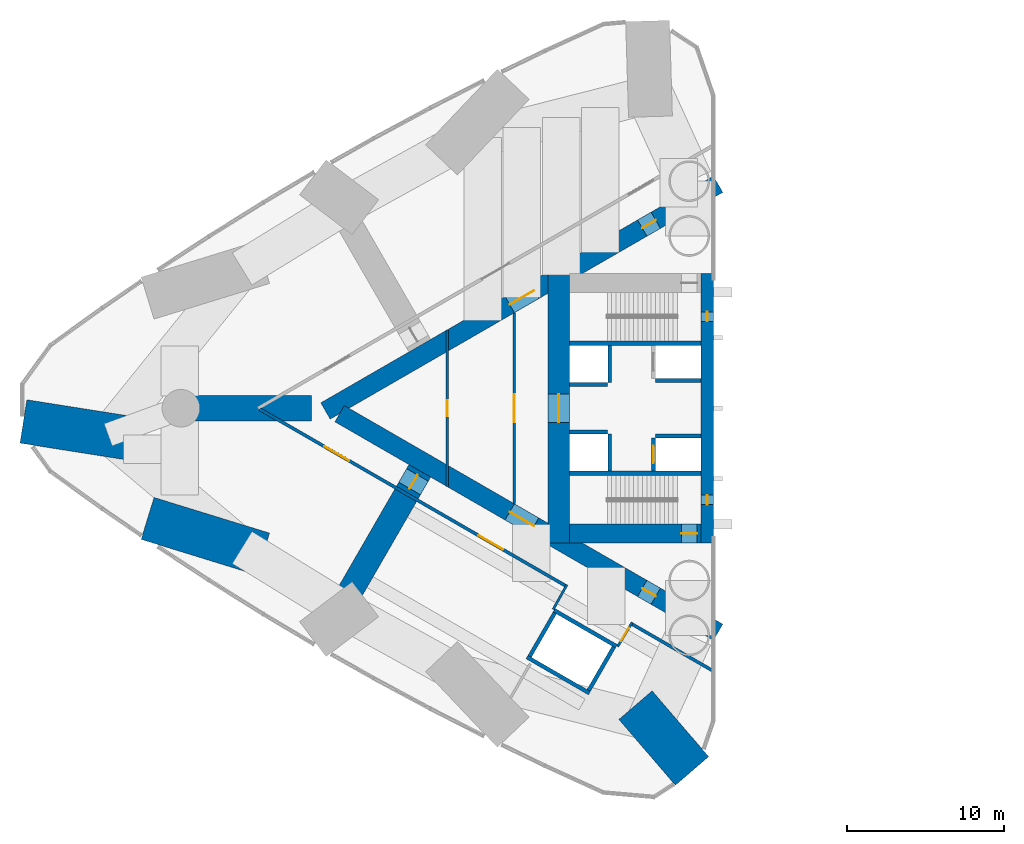
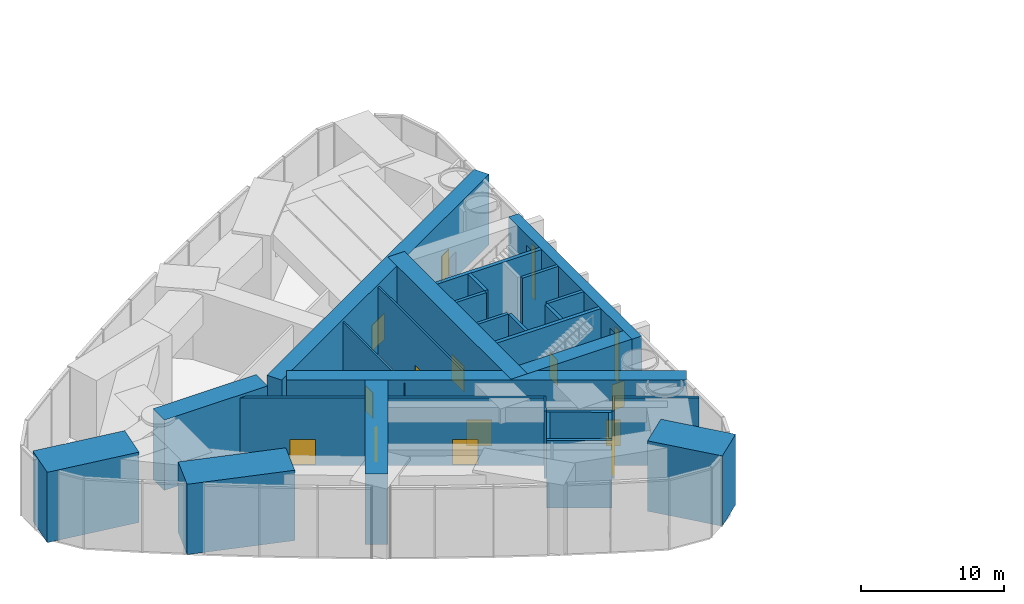
# One storey, part 11 of 16: 29 walls, 13 doors, 2 windows, 15 openings.
"""IFC4 building model written with IfcOpenShell, lengths in metres."""

from ifc_helpers import new_model, si_unit, direction, frame, frame_2d, origin, place, context, subcontext, project, spatial, rectangle, extrude, material, layer, layer_set, type_object, element, fill, save


model = new_model("IFC4")

# Units and contexts
model_context = context("Model", 3, precision=1e-05, world=origin(), true_north=direction((0.0, 1.0)))
body_context = subcontext(model_context, "Body", "Model", "MODEL_VIEW")
ifc_project = project(units=[si_unit("LENGTHUNIT", "METRE"), si_unit("AREAUNIT", "SQUARE_METRE"), si_unit("VOLUMEUNIT", "CUBIC_METRE"), si_unit("PLANEANGLEUNIT", "RADIAN"), si_unit("MASSUNIT", "GRAM", prefix="KILO")], contexts=[model_context])

# Site, building, storey
site_placement = place(None, origin())
site = spatial("IfcSite", under=ifc_project, at=site_placement, CompositionType="ELEMENT")
building_placement = place(site_placement, origin())
building = spatial("IfcBuilding", under=site, at=building_placement, Name="Lancet Gate Hotel", CompositionType="ELEMENT")
storey_placement = place(building_placement, frame((0.0, 0.0, 146.699951171875)))
storey = spatial("IfcBuildingStorey", under=building, at=storey_placement, Name="L39", CompositionType="ELEMENT", Elevation=146.699951171875)

# Wall, openings, doors
ifc_material_1 = material(Name="Concrete C70/85", Category="concrete")
ifc_layer_1 = layer(ifc_material_1, 1.199951171875)
ifc_layer_set_1 = layer_set([ifc_layer_1], Name="Buttress wall 1200")
wall_type_1 = type_object("IfcWallType", Name="Buttress wall 1200", PredefinedType="SHEAR", material=ifc_layer_set_1)
wall_1_placement = place(storey_placement, frame((-27.199951171875, 14.300048828125, 0.0), z_axis=(0.0, 0.0, 1.0), x_axis=(-0.866026593062, -0.499997940104, 0.0)))
wall_1 = element("IfcWall", 1, at=wall_1_placement, inside=storey, type_object=wall_type_1, Name="T1 buttress wall S L39", PredefinedType="SHEAR", context=body_context, shape_type="SweptSolid", body=[
    extrude(rectangle(XDim=28.9462890625, YDim=1.199951171875, at=frame_2d((14.47314453125, 0.0))), origin(), (0.0, 0.0, 1.0), 6.0),
])
opening_1_placement = place(wall_1_placement, frame((4.60009765625, 0.0, 0.0)))
opening_1 = element("IfcOpeningElement", 2, at=opening_1_placement, cuts=wall_1, Name="Opening T1-L39-LS", PredefinedType="OPENING", context=body_context, shape_type="SweptSolid", body=[
    extrude(rectangle(XDim=1.0, YDim=2.199951171875, at=frame_2d((0.5, 1.10009765625))), frame((0.0, 0.60986328125, 0.0), z_axis=(0.0, -1.0, 0.0), x_axis=(1.0, 0.0, 0.0)), (0.0, 0.0, 1.0), 1.219970703125),
])
opening_2_placement = place(wall_1_placement, frame((13.567626953125, 0.0, 0.0)))
opening_2 = element("IfcOpeningElement", 3, at=opening_2_placement, cuts=wall_1, Name="Opening T1-L39-LHS", PredefinedType="OPENING", context=body_context, shape_type="SweptSolid", body=[
    extrude(rectangle(XDim=1.800048828125, YDim=2.199951171875, at=frame_2d((0.89990234375, 1.10009765625))), frame((0.0, 0.60986328125, 0.0), z_axis=(0.0, -1.0, 0.0), x_axis=(1.0, 0.0, 0.0)), (0.0, 0.0, 1.0), 1.219970703125),
])
ifc_material_2 = material(Name="Timber door set", Category="wood")
door_type_1 = type_object("IfcDoorType", Name="Lobby double door 1800", OperationType="DOUBLE_DOOR_SINGLE_SWING", PredefinedType="DOOR", material=ifc_material_2)
door_1_placement = place(opening_2_placement, origin())
door_1 = element("IfcDoor", 4, at=door_1_placement, inside=storey, type_object=door_type_1, Name="T1-L39-LHS", OperationType="DOUBLE_DOOR_SINGLE_SWING", OverallHeight=2.199951171875, OverallWidth=1.800048828125, PredefinedType="DOOR", context=body_context, shape_type="SweptSolid", body=[
    extrude(rectangle(XDim=1.800048828125, YDim=2.199951171875, at=frame_2d((0.89990234375, 1.10009765625))), frame((0.0, 0.02490234375, 0.0), z_axis=(0.0, -1.0, 0.0), x_axis=(1.0, 0.0, 0.0)), (0.0, 0.0, 1.0), 0.050048828125),
])
fill(opening_2, door_1)
ifc_material_3 = material(Name="Timber door set", Category="wood")
door_type_2 = type_object("IfcDoorType", Name="Stair lobby door 1000", OperationType="SINGLE_SWING_LEFT", PredefinedType="DOOR", material=ifc_material_3)
door_2_placement = place(opening_1_placement, origin())
door_2 = element("IfcDoor", 5, at=door_2_placement, inside=storey, type_object=door_type_2, Name="T1-L39-LS", OperationType="SINGLE_SWING_LEFT", OverallHeight=2.199951171875, OverallWidth=1.0, PredefinedType="DOOR", context=body_context, shape_type="SweptSolid", body=[
    extrude(rectangle(XDim=1.0, YDim=2.199951171875, at=frame_2d((0.5, 1.10009765625))), frame((0.0, 0.02490234375, 0.0), z_axis=(0.0, -1.0, 0.0), x_axis=(1.0, 0.0, 0.0)), (0.0, 0.0, 1.0), 0.050048828125),
])
fill(opening_1, door_2)

wall_2_placement = place(storey_placement, frame((-27.199951171875, -14.300048828125, 0.0), z_axis=(0.0, 0.0, 1.0), x_axis=(-0.866024021859, 0.500002393557, 0.0)))
wall_2 = element("IfcWall", 6, at=wall_2_placement, inside=storey, type_object=wall_type_1, Name="T1 buttress wall N L39", PredefinedType="SHEAR", context=body_context, shape_type="SweptSolid", body=[
    extrude(rectangle(XDim=27.906982421875, YDim=1.199951171875, at=frame_2d((13.95361328125, 0.0))), origin(), (0.0, 0.0, 1.0), 6.0),
])
opening_3_placement = place(wall_2_placement, frame((4.60009765625, 0.0, 0.0)))
opening_3 = element("IfcOpeningElement", 7, at=opening_3_placement, cuts=wall_2, Name="Opening T1-L39-LN", PredefinedType="OPENING", context=body_context, shape_type="SweptSolid", body=[
    extrude(rectangle(XDim=1.0, YDim=2.199951171875, at=frame_2d((0.5, 1.10009765625))), frame((0.0, 0.60986328125, 0.0), z_axis=(0.0, -1.0, 0.0), x_axis=(1.0, 0.0, 0.0)), (0.0, 0.0, 1.0), 1.219970703125),
])
opening_4_placement = place(wall_2_placement, frame((13.567626953125, 0.0, 0.0)))
opening_4 = element("IfcOpeningElement", 8, at=opening_4_placement, cuts=wall_2, Name="Opening T1-L39-LHN", PredefinedType="OPENING", context=body_context, shape_type="SweptSolid", body=[
    extrude(rectangle(XDim=1.800048828125, YDim=2.199951171875, at=frame_2d((0.89990234375, 1.10009765625))), frame((0.0, 0.60986328125, 0.0), z_axis=(0.0, -1.0, 0.0), x_axis=(1.0, 0.0, 0.0)), (0.0, 0.0, 1.0), 1.219970703125),
])
door_3_placement = place(opening_4_placement, origin())
door_3 = element("IfcDoor", 9, at=door_3_placement, inside=storey, type_object=door_type_1, Name="T1-L39-LHN", OperationType="DOUBLE_DOOR_SINGLE_SWING", OverallHeight=2.199951171875, OverallWidth=1.800048828125, PredefinedType="DOOR", context=body_context, shape_type="SweptSolid", body=[
    extrude(rectangle(XDim=1.800048828125, YDim=2.199951171875, at=frame_2d((0.89990234375, 1.10009765625))), frame((0.0, 0.02490234375, 0.0), z_axis=(0.0, -1.0, 0.0), x_axis=(1.0, 0.0, 0.0)), (0.0, 0.0, 1.0), 0.050048828125),
])
fill(opening_4, door_3)
door_4_placement = place(opening_3_placement, origin())
door_4 = element("IfcDoor", 10, at=door_4_placement, inside=storey, type_object=door_type_2, Name="T1-L39-LN", OperationType="SINGLE_SWING_LEFT", OverallHeight=2.199951171875, OverallWidth=1.0, PredefinedType="DOOR", context=body_context, shape_type="SweptSolid", body=[
    extrude(rectangle(XDim=1.0, YDim=2.199951171875, at=frame_2d((0.5, 1.10009765625))), frame((0.0, 0.02490234375, 0.0), z_axis=(0.0, -1.0, 0.0), x_axis=(1.0, 0.0, 0.0)), (0.0, 0.0, 1.0), 0.050048828125),
])
fill(opening_3, door_4)

# Wall, opening, door
ifc_material_4 = material(Name="Concrete C70/85", Category="concrete")
ifc_layer_2 = layer(ifc_material_4, 1.35009765625)
ifc_layer_set_2 = layer_set([ifc_layer_2], Name="Core back wall 1350, outrigger storeys")
wall_type_2 = type_object("IfcWallType", Name="Core back wall 1350, outrigger storeys", PredefinedType="SHEAR", material=ifc_layer_set_2)
wall_3_placement = place(storey_placement, frame((-37.375, 8.60009765625, 0.0), z_axis=(0.0, 0.0, 1.0), x_axis=(0.0, -1.0, 0.0)))
wall_3 = element("IfcWall", 11, at=wall_3_placement, inside=storey, type_object=wall_type_2, Name="T1 core wall back L39", PredefinedType="SHEAR", context=body_context, shape_type="SweptSolid", body=[
    extrude(rectangle(XDim=17.2001953125, YDim=1.35009765625, at=frame_2d((8.60009765625, 0.0))), origin(), (0.0, 0.0, 1.0), 6.0),
])
opening_5_placement = place(wall_3_placement, frame((7.699951171875, 0.0, 0.0)))
opening_5 = element("IfcOpeningElement", 12, at=opening_5_placement, cuts=wall_3, Name="Opening T1-L39-LL", PredefinedType="OPENING", context=body_context, shape_type="SweptSolid", body=[
    extrude(rectangle(XDim=1.800048828125, YDim=2.199951171875, at=frame_2d((0.89990234375, 1.10009765625))), frame((0.0, 0.68505859375, 0.0), z_axis=(0.0, -1.0, 0.0), x_axis=(1.0, 0.0, 0.0)), (0.0, 0.0, 1.0), 1.3701171875),
])
door_5_placement = place(opening_5_placement, origin())
door_5 = element("IfcDoor", 13, at=door_5_placement, inside=storey, type_object=door_type_1, Name="T1-L39-LL", OperationType="DOUBLE_DOOR_SINGLE_SWING", OverallHeight=2.199951171875, OverallWidth=1.800048828125, PredefinedType="DOOR", context=body_context, shape_type="SweptSolid", body=[
    extrude(rectangle(XDim=1.800048828125, YDim=2.199951171875, at=frame_2d((0.89990234375, 1.10009765625))), frame((0.0, 0.02490234375, 0.0), z_axis=(0.0, -1.0, 0.0), x_axis=(1.0, 0.0, 0.0)), (0.0, 0.0, 1.0), 0.050048828125),
])
fill(opening_5, door_5)

ifc_material_5 = material(Name="Concrete C70/85", Category="concrete")
ifc_layer_3 = layer(ifc_material_5, 1.199951171875)
ifc_layer_set_3 = layer_set([ifc_layer_3], Name="Core wall 1200")
wall_type_3 = type_object("IfcWallType", Name="Core wall 1200", PredefinedType="SHEAR", material=ifc_layer_set_3)
wall_4_placement = place(storey_placement, frame((-28.300048828125, -8.0, 0.0), z_axis=(0.0, 0.0, 1.0), x_axis=(-1.0, 0.0, 0.0)))
wall_4 = element("IfcWall", 14, at=wall_4_placement, inside=storey, type_object=wall_type_3, Name="T1 core wall side-N L39", PredefinedType="SHEAR", context=body_context, shape_type="SweptSolid", body=[
    extrude(rectangle(XDim=8.39990234375, YDim=1.199951171875, at=frame_2d((4.199951171875, 0.0))), origin(), (0.0, 0.0, 1.0), 6.0),
])
opening_6_placement = place(wall_4_placement, frame((0.25, 0.0, 0.0)))
opening_6 = element("IfcOpeningElement", 15, at=opening_6_placement, cuts=wall_4, Name="Opening T1-L39-ST2", PredefinedType="OPENING", context=body_context, shape_type="SweptSolid", body=[
    extrude(rectangle(XDim=1.0, YDim=2.199951171875, at=frame_2d((0.5, 1.10009765625))), frame((0.0, 0.60986328125, 0.0), z_axis=(0.0, -1.0, 0.0), x_axis=(1.0, 0.0, 0.0)), (0.0, 0.0, 1.0), 1.219970703125),
])
ifc_material_6 = material(Name="Timber door set", Category="wood")
door_type_3 = type_object("IfcDoorType", Name="Stair door 1000", OperationType="SINGLE_SWING_RIGHT", PredefinedType="DOOR", material=ifc_material_6)
door_6_placement = place(opening_6_placement, origin())
door_6 = element("IfcDoor", 16, at=door_6_placement, inside=storey, type_object=door_type_3, Name="T1-L39-ST2", OperationType="SINGLE_SWING_RIGHT", OverallHeight=2.199951171875, OverallWidth=1.0, PredefinedType="DOOR", context=body_context, shape_type="SweptSolid", body=[
    extrude(rectangle(XDim=1.0, YDim=2.199951171875, at=frame_2d((0.5, 1.10009765625))), frame((0.0, 0.02490234375, 0.0), z_axis=(0.0, -1.0, 0.0), x_axis=(1.0, 0.0, 0.0)), (0.0, 0.0, 1.0), 0.050048828125),
])
fill(opening_6, door_6)

# Wall, openings, windows
ifc_material_7 = material(Name="Concrete C70/85", Category="concrete")
ifc_layer_4 = layer(ifc_material_7, 0.800048828125)
ifc_layer_set_4 = layer_set([ifc_layer_4], Name="Core wall 800")
wall_type_4 = type_object("IfcWallType", Name="Core wall 800", PredefinedType="SHEAR", material=ifc_layer_set_4)
wall_5_placement = place(storey_placement, frame((-27.89990234375, 8.60009765625, 0.0), z_axis=(0.0, 0.0, 1.0), x_axis=(0.0, -1.0, 0.0)))
wall_5 = element("IfcWall", 17, at=wall_5_placement, inside=storey, type_object=wall_type_4, Name="T1 core wall front L39", PredefinedType="SHEAR", context=body_context, shape_type="SweptSolid", body=[
    extrude(rectangle(XDim=17.2001953125, YDim=0.800048828125, at=frame_2d((8.60009765625, 0.0))), origin(), (0.0, 0.0, 1.0), 6.0),
])
opening_7_placement = place(wall_5_placement, frame((2.449951171875, 0.0, 0.60009765625)))
opening_7 = element("IfcOpeningElement", 18, at=opening_7_placement, cuts=wall_5, Name="Opening LW3", PredefinedType="OPENING", context=body_context, shape_type="SweptSolid", body=[
    extrude(rectangle(XDim=0.60009765625, YDim=4.5, at=frame_2d((0.300048828125, 2.25))), frame((0.0, 0.409912109375, 0.0), z_axis=(0.0, -1.0, 0.0), x_axis=(1.0, 0.0, 0.0)), (0.0, 0.0, 1.0), 0.820068359375),
])
opening_8_placement = place(wall_5_placement, frame((14.14990234375, 0.0, 0.60009765625)))
opening_8 = element("IfcOpeningElement", 19, at=opening_8_placement, cuts=wall_5, Name="Opening LW3", PredefinedType="OPENING", context=body_context, shape_type="SweptSolid", body=[
    extrude(rectangle(XDim=0.60009765625, YDim=4.5, at=frame_2d((0.300048828125, 2.25))), frame((0.0, 0.409912109375, 0.0), z_axis=(0.0, -1.0, 0.0), x_axis=(1.0, 0.0, 0.0)), (0.0, 0.0, 1.0), 0.820068359375),
])
ifc_material_8 = material(Name="Fire-resisting glazed steel window", Category="steel")
window_type = type_object("IfcWindowType", Name="Lancet window 600x4500", PartitioningType="SINGLE_PANEL", PredefinedType="WINDOW", material=ifc_material_8)
window_1_placement = place(opening_7_placement, origin())
window_1 = element("IfcWindow", 20, at=window_1_placement, inside=storey, type_object=window_type, Name="T1 stair window S L39", OverallHeight=4.5, OverallWidth=0.60009765625, PartitioningType="SINGLE_PANEL", PredefinedType="WINDOW", context=body_context, shape_type="SweptSolid", body=[
    extrude(rectangle(XDim=0.60009765625, YDim=4.5, at=frame_2d((0.300048828125, 2.25))), frame((0.0, 0.030029296875, 0.0), z_axis=(0.0, -1.0, 0.0), x_axis=(1.0, 0.0, 0.0)), (0.0, 0.0, 1.0), 0.06005859375),
])
fill(opening_7, window_1)
window_2_placement = place(opening_8_placement, origin())
window_2 = element("IfcWindow", 21, at=window_2_placement, inside=storey, type_object=window_type, Name="T1 stair window N L39", OverallHeight=4.5, OverallWidth=0.60009765625, PartitioningType="SINGLE_PANEL", PredefinedType="WINDOW", context=body_context, shape_type="SweptSolid", body=[
    extrude(rectangle(XDim=0.60009765625, YDim=4.5, at=frame_2d((0.300048828125, 2.25))), frame((0.0, 0.030029296875, 0.0), z_axis=(0.0, -1.0, 0.0), x_axis=(1.0, 0.0, 0.0)), (0.0, 0.0, 1.0), 0.06005859375),
])
fill(opening_8, window_2)

# Wall
ifc_material_9 = material(Name="Gypsum board partition")
ifc_layer_5 = layer(ifc_material_9, 0.199951171875)
ifc_layer_set_5 = layer_set([ifc_layer_5], Name="Corridor wall 200")
wall_type_5 = type_object("IfcWallType", Name="Corridor wall 200", PredefinedType="PARTITIONING", material=ifc_layer_set_5)
wall_6_placement = place(storey_placement, frame((-27.572021484375, -16.740966796875, 0.0), z_axis=(0.0, 0.0, 1.0), x_axis=(-0.866024464444, 0.500001626982, 0.0)))
element("IfcWall", 22, at=wall_6_placement, inside=storey, type_object=wall_type_5, Name="T1 corridor wall 200 L39", PredefinedType="PARTITIONING", context=body_context, shape_type="SweptSolid", body=[
    extrude(rectangle(XDim=5.955078125, YDim=0.199951171875, at=frame_2d((2.9775390625, 0.0))), origin(), (0.0, 0.0, 1.0), 5.75),
])

# Wall, openings, doors
wall_7_placement = place(storey_placement, frame((-36.920166015625, -11.34375, 0.0), z_axis=(0.0, 0.0, 1.0), x_axis=(-0.866028313256, 0.499994960614, 0.0)))
wall_7 = element("IfcWall", 23, at=wall_7_placement, inside=storey, type_object=wall_type_5, Name="T1 corridor wall 200 L39", PredefinedType="PARTITIONING", context=body_context, shape_type="SweptSolid", body=[
    extrude(rectangle(XDim=22.567626953125, YDim=0.199951171875, at=frame_2d((11.28369140625, 0.0))), origin(), (0.0, 0.0, 1.0), 5.75),
])
opening_9_placement = place(wall_7_placement, frame((15.993896484375, 0.0, 0.0)))
opening_9 = element("IfcOpeningElement", 24, at=opening_9_placement, cuts=wall_7, Name="Opening T1-L39-RB06", PredefinedType="OPENING", context=body_context, shape_type="SweptSolid", body=[
    extrude(rectangle(XDim=1.800048828125, YDim=2.199951171875, at=frame_2d((0.89990234375, 1.10009765625))), frame((0.0, 0.10986328125, 0.0), z_axis=(0.0, -1.0, 0.0), x_axis=(1.0, 0.0, 0.0)), (0.0, 0.0, 1.0), 0.219970703125),
])
opening_10_placement = place(wall_7_placement, frame((4.65087890625, 0.0, 0.0)))
opening_10 = element("IfcOpeningElement", 25, at=opening_10_placement, cuts=wall_7, Name="Opening T1-L39-RB07", PredefinedType="OPENING", context=body_context, shape_type="SweptSolid", body=[
    extrude(rectangle(XDim=1.800048828125, YDim=2.199951171875, at=frame_2d((0.89990234375, 1.10009765625))), frame((0.0, 0.10986328125, 0.0), z_axis=(0.0, -1.0, 0.0), x_axis=(1.0, 0.0, 0.0)), (0.0, 0.0, 1.0), 0.219970703125),
])
ifc_material_10 = material(Name="Timber door set", Category="wood")
door_type_4 = type_object("IfcDoorType", Name="Double door 1800", OperationType="DOUBLE_DOOR_SINGLE_SWING", PredefinedType="DOOR", material=ifc_material_10)
door_7_placement = place(opening_9_placement, origin())
door_7 = element("IfcDoor", 26, at=door_7_placement, inside=storey, type_object=door_type_4, Name="T1-L39-RB06", OperationType="DOUBLE_DOOR_SINGLE_SWING", OverallHeight=2.199951171875, OverallWidth=1.800048828125, PredefinedType="DOOR", context=body_context, shape_type="SweptSolid", body=[
    extrude(rectangle(XDim=1.800048828125, YDim=2.199951171875, at=frame_2d((0.89990234375, 1.10009765625))), frame((0.0, 0.02490234375, 0.0), z_axis=(0.0, -1.0, 0.0), x_axis=(1.0, 0.0, 0.0)), (0.0, 0.0, 1.0), 0.050048828125),
])
fill(opening_9, door_7)
door_8_placement = place(opening_10_placement, origin())
door_8 = element("IfcDoor", 27, at=door_8_placement, inside=storey, type_object=door_type_4, Name="T1-L39-RB07", OperationType="DOUBLE_DOOR_SINGLE_SWING", OverallHeight=2.199951171875, OverallWidth=1.800048828125, PredefinedType="DOOR", context=body_context, shape_type="SweptSolid", body=[
    extrude(rectangle(XDim=1.800048828125, YDim=2.199951171875, at=frame_2d((0.89990234375, 1.10009765625))), frame((0.0, 0.02490234375, 0.0), z_axis=(0.0, -1.0, 0.0), x_axis=(1.0, 0.0, 0.0)), (0.0, 0.0, 1.0), 0.050048828125),
])
fill(opening_10, door_8)

# Walls
ifc_material_11 = material(Name="Gypsum board partition")
ifc_layer_6 = layer(ifc_material_11, 0.25)
ifc_layer_set_6 = layer_set([ifc_layer_6], Name="Lift shaft partition 250")
wall_type_6 = type_object("IfcWallType", Name="Lift shaft partition 250", PredefinedType="PARTITIONING", material=ifc_layer_set_6)
wall_8_placement = place(storey_placement, frame((-33.695556640625, -15.197265625, 0.0), z_axis=(0.0, 0.0, 1.0), x_axis=(-0.865976953817, 0.500083908417, 0.0)))
element("IfcWall", 28, at=wall_8_placement, inside=storey, type_object=wall_type_6, Name="T1 lift shaft wall EX L39", PredefinedType="PARTITIONING", context=body_context, shape_type="SweptSolid", body=[
    extrude(rectangle(XDim=4.599365234375, YDim=0.25, at=frame_2d((2.2998046875, 0.0))), origin(), (0.0, 0.0, 1.0), 5.75),
])
wall_9_placement = place(storey_placement, frame((-35.42041015625, -18.185791015625, 0.0), z_axis=(0.0, 0.0, 1.0), x_axis=(-0.865990227814, 0.50006092162, 0.0)))
element("IfcWall", 29, at=wall_9_placement, inside=storey, type_object=wall_type_6, Name="T1 lift shaft wall EX L39", PredefinedType="PARTITIONING", context=body_context, shape_type="SweptSolid", body=[
    extrude(rectangle(XDim=4.599609375, YDim=0.25, at=frame_2d((2.2998046875, 0.0))), origin(), (0.0, 0.0, 1.0), 5.75),
])
wall_10_placement = place(storey_placement, frame((-33.8662109375, -15.242919921875, 0.0), z_axis=(0.0, 0.0, 1.0), x_axis=(-0.499929347863, -0.866066190972, 0.0)))
element("IfcWall", 30, at=wall_10_placement, inside=storey, type_object=wall_type_6, Name="T1 lift shaft wall EX L39", PredefinedType="PARTITIONING", context=body_context, shape_type="SweptSolid", body=[
    extrude(rectangle(XDim=3.20068359375, YDim=0.25, at=frame_2d((1.600341796875, 0.0))), origin(), (0.0, 0.0, 1.0), 5.75),
])
wall_11_placement = place(storey_placement, frame((-37.6328125, -13.068115234375, 0.0), z_axis=(0.0, 0.0, 1.0), x_axis=(-0.499872130319, -0.866099216793, 0.0)))
element("IfcWall", 31, at=wall_11_placement, inside=storey, type_object=wall_type_6, Name="T1 lift shaft wall EX L39", PredefinedType="PARTITIONING", context=body_context, shape_type="SweptSolid", body=[
    extrude(rectangle(XDim=3.200439453125, YDim=0.25, at=frame_2d((1.60009765625, 0.0))), origin(), (0.0, 0.0, 1.0), 5.75),
])
ifc_material_12 = material(Name="Concrete C50/60", Category="concrete")
ifc_layer_7 = layer(ifc_material_12, 0.25)
ifc_layer_set_7 = layer_set([ifc_layer_7], Name="Lift shaft wall 250")
wall_type_7 = type_object("IfcWallType", Name="Lift shaft wall 250", PredefinedType="SHEAR", material=ifc_layer_set_7)
wall_12_placement = place(storey_placement, frame((-34.125, 4.0, 0.0), z_axis=(0.0, 0.0, 1.0), x_axis=(0.0, -1.0, 0.0)))
element("IfcWall", 32, at=wall_12_placement, inside=storey, type_object=wall_type_7, Name="T1 core wall row2-S L39", PredefinedType="SHEAR", context=body_context, shape_type="SweptSolid", body=[
    extrude(rectangle(XDim=2.35009765625, YDim=0.25, at=frame_2d((1.175048828125, 0.0))), origin(), (0.0, 0.0, 1.0), 6.0),
])
wall_13_placement = place(storey_placement, frame((-28.300048828125, 1.77490234375, 0.0), z_axis=(0.0, 0.0, 1.0), x_axis=(-1.0, 0.0, 0.0)))
element("IfcWall", 33, at=wall_13_placement, inside=storey, type_object=wall_type_7, Name="T1 core wall pass1-S L39", PredefinedType="SHEAR", context=body_context, shape_type="SweptSolid", body=[
    extrude(rectangle(XDim=2.89990234375, YDim=0.25, at=frame_2d((1.449951171875, 0.0))), origin(), (0.0, 0.0, 1.0), 6.0),
])
wall_14_placement = place(storey_placement, frame((-34.25, 1.52490234375, 0.0), z_axis=(0.0, 0.0, 1.0), x_axis=(-1.0, 0.0, 0.0)))
element("IfcWall", 34, at=wall_14_placement, inside=storey, type_object=wall_type_7, Name="T1 core wall pass2-S L39", PredefinedType="SHEAR", context=body_context, shape_type="SweptSolid", body=[
    extrude(rectangle(XDim=2.449951171875, YDim=0.25, at=frame_2d((1.22509765625, 0.0))), origin(), (0.0, 0.0, 1.0), 6.0),
])

# Wall, opening, door
wall_15_placement = place(storey_placement, frame((-31.324951171875, -1.89990234375, 0.0), z_axis=(0.0, 0.0, 1.0), x_axis=(0.0, -1.0, 0.0)))
wall_15 = element("IfcWall", 35, at=wall_15_placement, inside=storey, type_object=wall_type_7, Name="T1 core wall row1-N L39", PredefinedType="SHEAR", context=body_context, shape_type="SweptSolid", body=[
    extrude(rectangle(XDim=2.10009765625, YDim=0.25, at=frame_2d((1.050048828125, 0.0))), origin(), (0.0, 0.0, 1.0), 6.0),
])
opening_11_placement = place(wall_15_placement, frame((0.5, 0.0, 0.0)))
opening_11 = element("IfcOpeningElement", 36, at=opening_11_placement, cuts=wall_15, Name="Opening T1-FL2-L39", PredefinedType="OPENING", context=body_context, shape_type="SweptSolid", body=[
    extrude(rectangle(XDim=1.10009765625, YDim=2.199951171875, at=frame_2d((0.550048828125, 1.10009765625))), frame((0.0, 0.135009765625, 0.0), z_axis=(0.0, -1.0, 0.0), x_axis=(1.0, 0.0, 0.0)), (0.0, 0.0, 1.0), 0.27001953125),
])
ifc_material_13 = material(Name="Steel door set", Category="steel")
door_type_5 = type_object("IfcDoorType", Name="Firefighting lift landing door 1100", OperationType="SLIDING_TO_LEFT", PredefinedType="USERDEFINED", material=ifc_material_13)
door_9_placement = place(opening_11_placement, origin())
door_9 = element("IfcDoor", 37, at=door_9_placement, inside=storey, type_object=door_type_5, Name="T1-FL2-L39", ObjectType="LIFT LANDING DOOR", OperationType="SLIDING_TO_LEFT", OverallHeight=2.199951171875, OverallWidth=1.10009765625, PredefinedType="USERDEFINED", context=body_context, shape_type="SweptSolid", body=[
    extrude(rectangle(XDim=1.10009765625, YDim=2.199951171875, at=frame_2d((0.550048828125, 1.10009765625))), frame((0.0, 0.02490234375, 0.0), z_axis=(0.0, -1.0, 0.0), x_axis=(1.0, 0.0, 0.0)), (0.0, 0.0, 1.0), 0.050048828125),
])
fill(opening_11, door_9)

# Walls
wall_16_placement = place(storey_placement, frame((-34.125, -1.64990234375, 0.0), z_axis=(0.0, 0.0, 1.0), x_axis=(0.0, -1.0, 0.0)))
element("IfcWall", 38, at=wall_16_placement, inside=storey, type_object=wall_type_7, Name="T1 core wall row2-N L39", PredefinedType="SHEAR", context=body_context, shape_type="SweptSolid", body=[
    extrude(rectangle(XDim=2.35009765625, YDim=0.25, at=frame_2d((1.175048828125, 0.0))), origin(), (0.0, 0.0, 1.0), 6.0),
])
wall_17_placement = place(storey_placement, frame((-28.300048828125, -1.77490234375, 0.0), z_axis=(0.0, 0.0, 1.0), x_axis=(-1.0, 0.0, 0.0)))
element("IfcWall", 39, at=wall_17_placement, inside=storey, type_object=wall_type_7, Name="T1 core wall pass1-N L39", PredefinedType="SHEAR", context=body_context, shape_type="SweptSolid", body=[
    extrude(rectangle(XDim=2.89990234375, YDim=0.25, at=frame_2d((1.449951171875, 0.0))), origin(), (0.0, 0.0, 1.0), 6.0),
])
wall_18_placement = place(storey_placement, frame((-34.25, -1.52490234375, 0.0), z_axis=(0.0, 0.0, 1.0), x_axis=(-1.0, 0.0, 0.0)))
element("IfcWall", 40, at=wall_18_placement, inside=storey, type_object=wall_type_7, Name="T1 core wall pass2-N L39", PredefinedType="SHEAR", context=body_context, shape_type="SweptSolid", body=[
    extrude(rectangle(XDim=2.449951171875, YDim=0.25, at=frame_2d((1.22509765625, 0.0))), origin(), (0.0, 0.0, 1.0), 6.0),
])
ifc_material_14 = material(Name="Concrete C80/95", Category="concrete")
ifc_layer_8 = layer(ifc_material_14, 1.60009765625)
ifc_layer_set_8 = layer_set([ifc_layer_8], Name="Outrigger wall 1600")
wall_type_8 = type_object("IfcWallType", Name="Outrigger wall 1600", PredefinedType="SHEAR", material=ifc_layer_set_8)
wall_19_placement = place(storey_placement, frame((-53.168212890625, 0.0, 0.0), z_axis=(0.0, 0.0, 1.0), x_axis=(-1.0, 0.0, 0.0)))
element("IfcWall", 41, at=wall_19_placement, inside=storey, type_object=wall_type_8, Name="T1 outrigger wall CA L39", PredefinedType="SHEAR", context=body_context, shape_type="SweptSolid", body=[
    extrude(rectangle(XDim=8.331787109375, YDim=1.60009765625, at=frame_2d((4.166015625, 0.0))), origin(), (0.0, 0.0, 1.0), 6.0),
])

# Wall, opening, door
wall_20_placement = place(storey_placement, frame((-46.247802734375, -3.99560546875, 0.0), z_axis=(0.0, 0.0, 1.0), x_axis=(-0.499993613132, -0.866029091213, 0.0)))
wall_20 = element("IfcWall", 42, at=wall_20_placement, inside=storey, type_object=wall_type_8, Name="T1 outrigger wall ON2 L39", PredefinedType="SHEAR", context=body_context, shape_type="SweptSolid", body=[
    extrude(rectangle(XDim=11.430908203125, YDim=1.60009765625, at=frame_2d((5.71533203125, 0.0))), origin(), (0.0, 0.0, 1.0), 6.0),
])
opening_12_placement = place(wall_20_placement, frame((0.300048828125, 0.0, 0.0)))
opening_12 = element("IfcOpeningElement", 43, at=opening_12_placement, cuts=wall_20, Name="Opening T1-L39-LNO", PredefinedType="OPENING", context=body_context, shape_type="SweptSolid", body=[
    extrude(rectangle(XDim=1.0, YDim=2.199951171875, at=frame_2d((0.5, 1.10009765625))), frame((0.0, 0.81005859375, 0.0), z_axis=(0.0, -1.0, 0.0), x_axis=(1.0, 0.0, 0.0)), (0.0, 0.0, 1.0), 1.6201171875),
])
ifc_material_15 = material(Name="Timber door set", Category="wood")
door_type_6 = type_object("IfcDoorType", Name="Corridor door 1000", OperationType="SINGLE_SWING_LEFT", PredefinedType="DOOR", material=ifc_material_15)
door_10_placement = place(opening_12_placement, origin())
door_10 = element("IfcDoor", 44, at=door_10_placement, inside=storey, type_object=door_type_6, Name="T1-L39-LNO", OperationType="SINGLE_SWING_LEFT", OverallHeight=2.199951171875, OverallWidth=1.0, PredefinedType="DOOR", context=body_context, shape_type="SweptSolid", body=[
    extrude(rectangle(XDim=1.0, YDim=2.199951171875, at=frame_2d((0.5, 1.10009765625))), frame((0.0, 0.02490234375, 0.0), z_axis=(0.0, -1.0, 0.0), x_axis=(1.0, 0.0, 0.0)), (0.0, 0.0, 1.0), 0.050048828125),
])
fill(opening_12, door_10)

# Walls
ifc_material_16 = material(Name="Concrete C80/95", Category="concrete")
ifc_layer_9 = layer(ifc_material_16, 2.800048828125)
ifc_layer_set_9 = layer_set([ifc_layer_9], Name="Radial transfer wall 2800")
wall_type_9 = type_object("IfcWallType", Name="Radial transfer wall 2800", PredefinedType="SHEAR", material=ifc_layer_set_9)
wall_21_placement = place(storey_placement, frame((-71.551025390625, -0.841796875, 0.0), z_axis=(0.0, 0.0, 1.0), x_axis=(0.987774767093, -0.155887810603, 0.0)))
element("IfcWall", 45, at=wall_21_placement, inside=storey, type_object=wall_type_9, Name="T1 radial transfer wall CA L39", PredefinedType="SHEAR", context=body_context, shape_type="SweptSolid", body=[
    extrude(rectangle(XDim=6.875244140625, YDim=2.800048828125, at=frame_2d((3.4375, 0.0))), origin(), (0.0, 0.0, 1.0), 6.0),
])
wall_22_placement = place(storey_placement, frame((-28.869384765625, -23.1572265625, 0.0), z_axis=(0.0, 0.0, 1.0), x_axis=(-0.651270313566, 0.75884582009, 0.0)))
element("IfcWall", 46, at=wall_22_placement, inside=storey, type_object=wall_type_9, Name="T1 radial transfer wall CN L39", PredefinedType="SHEAR", context=body_context, shape_type="SweptSolid", body=[
    extrude(rectangle(XDim=5.539794921875, YDim=2.800048828125, at=frame_2d((2.77001953125, 0.0))), origin(), (0.0, 0.0, 1.0), 6.0),
])
wall_23_placement = place(storey_placement, frame((-63.62451171875, -7.031982421875, 0.0), z_axis=(0.0, 0.0, 1.0), x_axis=(0.955592035737, -0.29469282522, 0.0)))
element("IfcWall", 47, at=wall_23_placement, inside=storey, type_object=wall_type_9, Name="T1 radial transfer wall ON1 L39", PredefinedType="SHEAR", context=body_context, shape_type="SweptSolid", body=[
    extrude(rectangle(XDim=7.71533203125, YDim=2.800048828125, at=frame_2d((3.857666015625, 0.0))), origin(), (0.0, 0.0, 1.0), 6.0),
])
ifc_material_17 = material(Name="Gypsum board partition")
ifc_layer_10 = layer(ifc_material_17, 0.14990234375)
ifc_layer_set_10 = layer_set([ifc_layer_10], Name="Service room wall 150")
wall_type_10 = type_object("IfcWallType", Name="Service room wall 150", PredefinedType="PARTITIONING", material=ifc_layer_set_10)
wall_24_placement = place(storey_placement, frame((-36.857177734375, -11.2646484375, 0.0), z_axis=(0.0, 0.0, 1.0), x_axis=(-0.485482130951, -0.874246590229, 0.0)))
element("IfcWall", 48, at=wall_24_placement, inside=storey, type_object=wall_type_10, Name="T1 service room wall 150 L39", PredefinedType="PARTITIONING", context=body_context, shape_type="SweptSolid", body=[
    extrude(rectangle(XDim=1.804931640625, YDim=0.14990234375, at=frame_2d((0.90234375, 0.0))), origin(), (0.0, 0.0, 1.0), 5.75),
])

# Wall, opening, door
wall_25_placement = place(storey_placement, frame((-33.62060546875, -15.217529296875, 0.0), z_axis=(0.0, 0.0, 1.0), x_axis=(0.514336634837, 0.857588377991, 0.0)))
wall_25 = element("IfcWall", 49, at=wall_25_placement, inside=storey, type_object=wall_type_10, Name="T1 service room wall 150 L39", PredefinedType="PARTITIONING", context=body_context, shape_type="SweptSolid", body=[
    extrude(rectangle(XDim=1.80517578125, YDim=0.14990234375, at=frame_2d((0.902587890625, 0.0))), origin(), (0.0, 0.0, 1.0), 5.75),
])
opening_13_placement = place(wall_25_placement, frame((0.402587890625, 0.0, 0.0)))
opening_13 = element("IfcOpeningElement", 50, at=opening_13_placement, cuts=wall_25, Name="Opening T1-L39-RB08", PredefinedType="OPENING", context=body_context, shape_type="SweptSolid", body=[
    extrude(rectangle(XDim=1.0, YDim=2.199951171875, at=frame_2d((0.5, 1.10009765625))), frame((0.0, 0.0849609375, 0.0), z_axis=(0.0, -1.0, 0.0), x_axis=(1.0, 0.0, 0.0)), (0.0, 0.0, 1.0), 0.169921875),
])
ifc_material_18 = material(Name="Timber door set", Category="wood")
door_type_7 = type_object("IfcDoorType", Name="Service door 1000", OperationType="SINGLE_SWING_LEFT", PredefinedType="DOOR", material=ifc_material_18)
door_11_placement = place(opening_13_placement, origin())
door_11 = element("IfcDoor", 51, at=door_11_placement, inside=storey, type_object=door_type_7, Name="T1-L39-RB08", OperationType="SINGLE_SWING_LEFT", OverallHeight=2.199951171875, OverallWidth=1.0, PredefinedType="DOOR", context=body_context, shape_type="SweptSolid", body=[
    extrude(rectangle(XDim=1.0, YDim=2.199951171875, at=frame_2d((0.5, 1.10009765625))), frame((0.0, 0.02490234375, 0.0), z_axis=(0.0, -1.0, 0.0), x_axis=(1.0, 0.0, 0.0)), (0.0, 0.0, 1.0), 0.050048828125),
])
fill(opening_13, door_11)

wall_26_placement = place(storey_placement, frame((-40.22509765625, 6.087158203125, 0.0), z_axis=(0.0, 0.0, 1.0), x_axis=(0.0, -1.0, 0.0)))
wall_26 = element("IfcWall", 52, at=wall_26_placement, inside=storey, type_object=wall_type_10, Name="T1 service room wall 150 L39", PredefinedType="PARTITIONING", context=body_context, shape_type="SweptSolid", body=[
    extrude(rectangle(XDim=12.17431640625, YDim=0.14990234375, at=frame_2d((6.087158203125, 0.0))), origin(), (0.0, 0.0, 1.0), 5.75),
])
opening_14_placement = place(wall_26_placement, frame((5.187255859375, 0.0, 0.0)))
opening_14 = element("IfcOpeningElement", 53, at=opening_14_placement, cuts=wall_26, Name="Opening T1-L39-LH", PredefinedType="OPENING", context=body_context, shape_type="SweptSolid", body=[
    extrude(rectangle(XDim=1.800048828125, YDim=2.199951171875, at=frame_2d((0.89990234375, 1.10009765625))), frame((0.0, 0.0849609375, 0.0), z_axis=(0.0, -1.0, 0.0), x_axis=(1.0, 0.0, 0.0)), (0.0, 0.0, 1.0), 0.169921875),
])
door_12_placement = place(opening_14_placement, origin())
door_12 = element("IfcDoor", 54, at=door_12_placement, inside=storey, type_object=door_type_1, Name="T1-L39-LH", OperationType="DOUBLE_DOOR_SINGLE_SWING", OverallHeight=2.199951171875, OverallWidth=1.800048828125, PredefinedType="DOOR", context=body_context, shape_type="SweptSolid", body=[
    extrude(rectangle(XDim=1.800048828125, YDim=2.199951171875, at=frame_2d((0.89990234375, 1.10009765625))), frame((0.0, 0.02490234375, 0.0), z_axis=(0.0, -1.0, 0.0), x_axis=(1.0, 0.0, 0.0)), (0.0, 0.0, 1.0), 0.050048828125),
])
fill(opening_14, door_12)

wall_27_placement = place(storey_placement, frame((-44.5, 5.004638671875, 0.0), z_axis=(0.0, 0.0, 1.0), x_axis=(0.0, -1.0, 0.0)))
wall_27 = element("IfcWall", 55, at=wall_27_placement, inside=storey, type_object=wall_type_10, Name="T1 service room wall 150 L39", PredefinedType="PARTITIONING", context=body_context, shape_type="SweptSolid", body=[
    extrude(rectangle(XDim=10.00927734375, YDim=0.14990234375, at=frame_2d((5.004638671875, 0.0))), origin(), (0.0, 0.0, 1.0), 5.75),
])
opening_15_placement = place(wall_27_placement, frame((4.504638671875, 0.0, 0.0)))
opening_15 = element("IfcOpeningElement", 56, at=opening_15_placement, cuts=wall_27, Name="Opening T1-L39-SV", PredefinedType="OPENING", context=body_context, shape_type="SweptSolid", body=[
    extrude(rectangle(XDim=1.0, YDim=2.199951171875, at=frame_2d((0.5, 1.10009765625))), frame((0.0, 0.0849609375, 0.0), z_axis=(0.0, -1.0, 0.0), x_axis=(1.0, 0.0, 0.0)), (0.0, 0.0, 1.0), 0.169921875),
])
door_13_placement = place(opening_15_placement, origin())
door_13 = element("IfcDoor", 57, at=door_13_placement, inside=storey, type_object=door_type_7, Name="T1-L39-SV", OperationType="SINGLE_SWING_LEFT", OverallHeight=2.199951171875, OverallWidth=1.0, PredefinedType="DOOR", context=body_context, shape_type="SweptSolid", body=[
    extrude(rectangle(XDim=1.0, YDim=2.199951171875, at=frame_2d((0.5, 1.10009765625))), frame((0.0, 0.02490234375, 0.0), z_axis=(0.0, -1.0, 0.0), x_axis=(1.0, 0.0, 0.0)), (0.0, 0.0, 1.0), 0.050048828125),
])
fill(opening_15, door_13)

# Walls
ifc_material_19 = material(Name="Concrete C50/60", Category="concrete")
ifc_layer_11 = layer(ifc_material_19, 0.300048828125)
ifc_layer_set_11 = layer_set([ifc_layer_11], Name="Stair enclosure wall 300")
wall_type_11 = type_object("IfcWallType", Name="Stair enclosure wall 300", PredefinedType="SHEAR", material=ifc_layer_set_11)
for number, where, z_axis, x_axis, name in (
    (58, (-28.300048828125, 4.14990234375, 0.0), (0.0, 0.0, 1.0), (-1.0, 0.0, 0.0), "T1 core wall stair-S L39"),
    (59, (-28.300048828125, -4.14990234375, 0.0), (0.0, 0.0, 1.0), (-1.0, 0.0, 0.0), "T1 core wall stair-N L39"),
):
    element("IfcWall", number, at=place(storey_placement, frame(where, z_axis=z_axis, x_axis=x_axis)), inside=storey, type_object=wall_type_11, Name=name, PredefinedType="SHEAR", context=body_context, shape_type="SweptSolid", body=[
        extrude(rectangle(XDim=8.39990234375, YDim=0.300048828125, at=frame_2d((4.199951171875, 0.0))), origin(), (0.0, 0.0, 1.0), 6.0),
    ])

save(model, "model.ifc")
